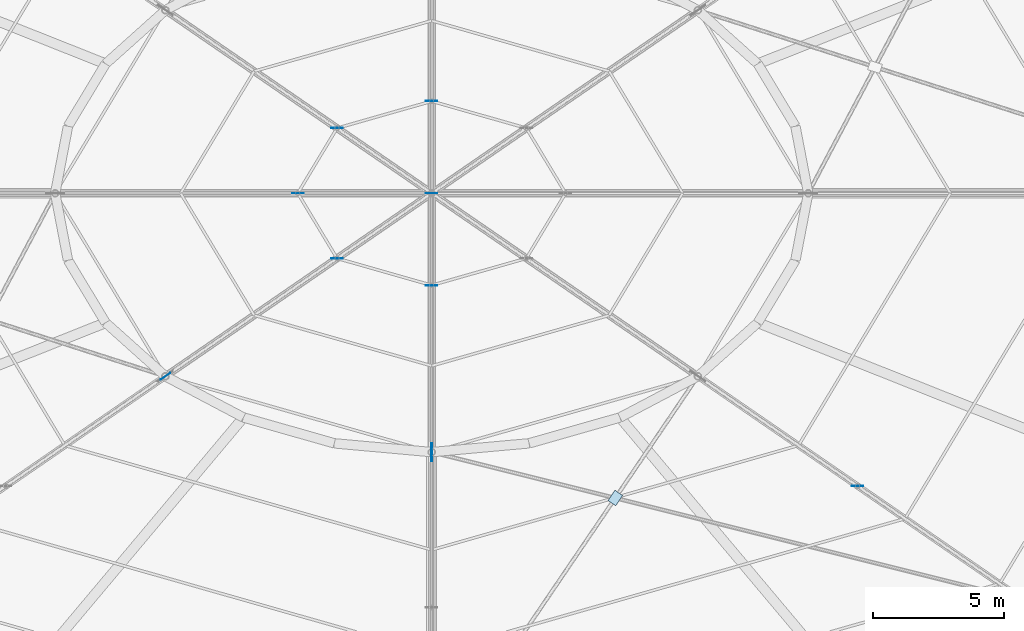
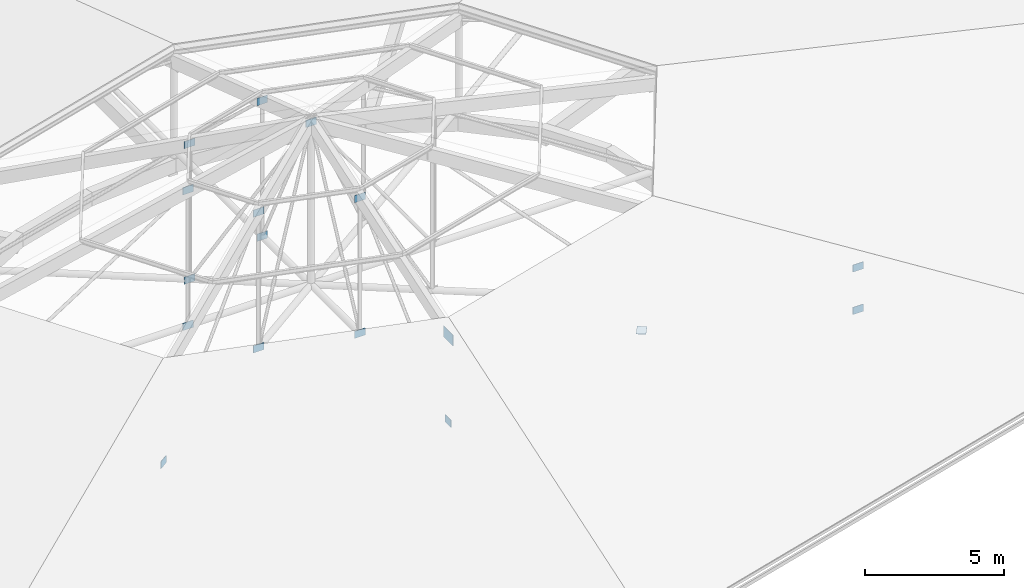
# One storey, part 49 of 66: 17 plates.
"""IFC4 building model written with IfcOpenShell, lengths in metres."""

from ifc_helpers import new_model, si_unit, direction, frame, origin, origin_2d, place, context, subcontext, project, spatial, rectangle, extrude, material, layer, layer_set, type_object, element, save


model = new_model("IFC4")

# Units and contexts
model_context = context("Model", 3, precision=1e-05, world=origin(), true_north=direction((0.0, 1.0)))
body_context = subcontext(model_context, "Body", "Model", "MODEL_VIEW")
ifc_project = project(units=[si_unit("LENGTHUNIT", "METRE"), si_unit("AREAUNIT", "SQUARE_METRE"), si_unit("VOLUMEUNIT", "CUBIC_METRE"), si_unit("PLANEANGLEUNIT", "RADIAN"), si_unit("MASSUNIT", "GRAM", prefix="KILO")], contexts=[model_context])

# Site, building, storey
site_placement = place(None, origin())
site = spatial("IfcSite", under=ifc_project, at=site_placement, CompositionType="ELEMENT")
building_placement = place(site_placement, origin())
building = spatial("IfcBuilding", under=site, at=building_placement, Name="Zornivar Specialist Clinic", CompositionType="ELEMENT")
storey_placement = place(building_placement, frame((0.0, 0.0, 16.0)))
storey = spatial("IfcBuildingStorey", under=building, at=storey_placement, Name="L04", CompositionType="ELEMENT", Elevation=16.0)

# Plates
ifc_material_1 = material(Name="Steel S355J2", Category="steel")
ifc_layer_1 = layer(ifc_material_1, 0.02001953125)
ifc_layer_set_1 = layer_set([ifc_layer_1], Name="Steel S355J2")
plate_type_1 = type_object("IfcPlateType", Name="PL-GUSSET-NODE-20", PredefinedType="USERDEFINED", material=ifc_layer_set_1)
plate_1_placement = place(storey_placement, frame((100.6220703125, 45.945068359375, 2.944091796875), z_axis=(0.0, 0.0, 1.0), x_axis=(0.561650242447, 0.827374767055, 0.0)))
element("IfcPlate", 1, at=plate_1_placement, inside=storey, type_object=plate_type_1, Name="plate:V1:L04:xcross:6", ObjectType="GUSSET PLATE", PredefinedType="USERDEFINED", context=body_context, shape_type="SweptSolid", body=[
    extrude(rectangle(XDim=0.47998046875, YDim=0.360107421875, at=origin_2d()), origin(), (0.0, 0.0, 1.0), 0.02001953125),
])
ifc_material_2 = material(Name="Steel S355J2", Category="steel")
ifc_layer_2 = layer(ifc_material_2, 0.02392578125)
ifc_layer_set_2 = layer_set([ifc_layer_2], Name="Steel S355J2")
plate_type_2 = type_object("IfcPlateType", Name="PL-GUSSET-RIDGE-24", PredefinedType="USERDEFINED", material=ifc_layer_set_2)
plate_2_placement = place(storey_placement, frame((93.60009765625, 47.699951171875, 3.864013671875), z_axis=(0.0, 0.0, 1.0), x_axis=(0.0, -1.0, 0.0)))
element("IfcPlate", 2, at=plate_2_placement, inside=storey, type_object=plate_type_2, Name="plate:V1:L04:ridge:6", ObjectType="GUSSET PLATE", PredefinedType="USERDEFINED", context=body_context, shape_type="SweptSolid", body=[
    extrude(rectangle(XDim=0.679931640625, YDim=0.02392578125, at=origin_2d()), origin(), (0.0, 0.0, 1.0), 0.47998046875),
])
ifc_material_3 = material(Name="Steel S355J2", Category="steel")
ifc_layer_3 = layer(ifc_material_3, 0.01806640625)
ifc_layer_set_3 = layer_set([ifc_layer_3], Name="Steel S355J2")
plate_type_3 = type_object("IfcPlateType", Name="PL-GUSSET-V4-18", PredefinedType="USERDEFINED", material=ifc_layer_set_3)
for number, where, z_axis, x_axis, name in (
    (3, (93.60009765625, 57.60009765625, 7.3388671875), (0.0, 0.0, 1.0), (1.0, 0.0, 0.0), "plate:bnode:L04:055"),
    (4, (93.60009765625, 61.1201171875, 0.2001953125), (0.0, 0.0, 1.0), (1.0, 0.0, 0.0), "plate:bnode:L04:063"),
    (5, (93.60009765625, 61.1201171875, 6.1669921875), (0.0, 0.0, 1.0), (1.0, 0.0, 0.0), "plate:bnode:L04:064"),
    (6, (89.97998046875, 60.089111328125, 0.2001953125), (0.0, 0.0, 1.0), (1.0, 0.0, 0.0), "plate:bnode:L04:068"),
    (7, (89.97998046875, 60.089111328125, 6.1669921875), (0.0, 0.0, 1.0), (1.0, 0.0, 0.0), "plate:bnode:L04:069"),
    (8, (88.47998046875, 57.60009765625, 0.2001953125), (0.0, 0.0, 1.0), (1.0, 0.0, 0.0), "plate:bnode:L04:073"),
    (9, (88.47998046875, 57.60009765625, 6.1669921875), (0.0, 0.0, 1.0), (1.0, 0.0, 0.0), "plate:bnode:L04:074"),
    (10, (89.97998046875, 55.111083984375, 0.2001953125), (0.0, 0.0, 1.0), (1.0, 0.0, 0.0), "plate:bnode:L04:078"),
    (11, (89.97998046875, 55.111083984375, 6.1669921875), (0.0, 0.0, 1.0), (1.0, 0.0, 0.0), "plate:bnode:L04:079"),
    (12, (83.41796875, 50.60009765625, 0.2001953125), (0.0, 0.0, 1.0), (0.824027319533, 0.566550065452, 0.0), "plate:bnode:L04:080"),
    (13, (93.60009765625, 54.080078125, 0.2001953125), (0.0, 0.0, 1.0), (1.0, 0.0, 0.0), "plate:bnode:L04:083"),
    (14, (93.60009765625, 54.080078125, 6.1669921875), (0.0, 0.0, 1.0), (1.0, 0.0, 0.0), "plate:bnode:L04:084"),
    (15, (93.60009765625, 47.699951171875, 0.2001953125), (0.0, 0.0, 1.0), (0.0, 1.0, 0.0), "plate:bnode:L04:085"),
    (16, (109.89111328125, 46.39990234375, 0.2001953125), (0.0, 0.0, 1.0), (1.0, 0.0, 0.0), "plate:bnode:L04:086"),
    (17, (109.89111328125, 46.39990234375, 2.06689453125), (0.0, 0.0, 1.0), (1.0, 0.0, 0.0), "plate:bnode:L04:087"),
):
    element("IfcPlate", number, at=place(storey_placement, frame(where, z_axis=z_axis, x_axis=x_axis)), inside=storey, type_object=plate_type_3, Name=name, ObjectType="GUSSET PLATE", PredefinedType="USERDEFINED", context=body_context, shape_type="SweptSolid", body=[
        extrude(rectangle(XDim=0.43994140625, YDim=0.01806640625, at=origin_2d()), origin(), (0.0, 0.0, 1.0), 0.320068359375),
    ])

save(model, "model.ifc")
